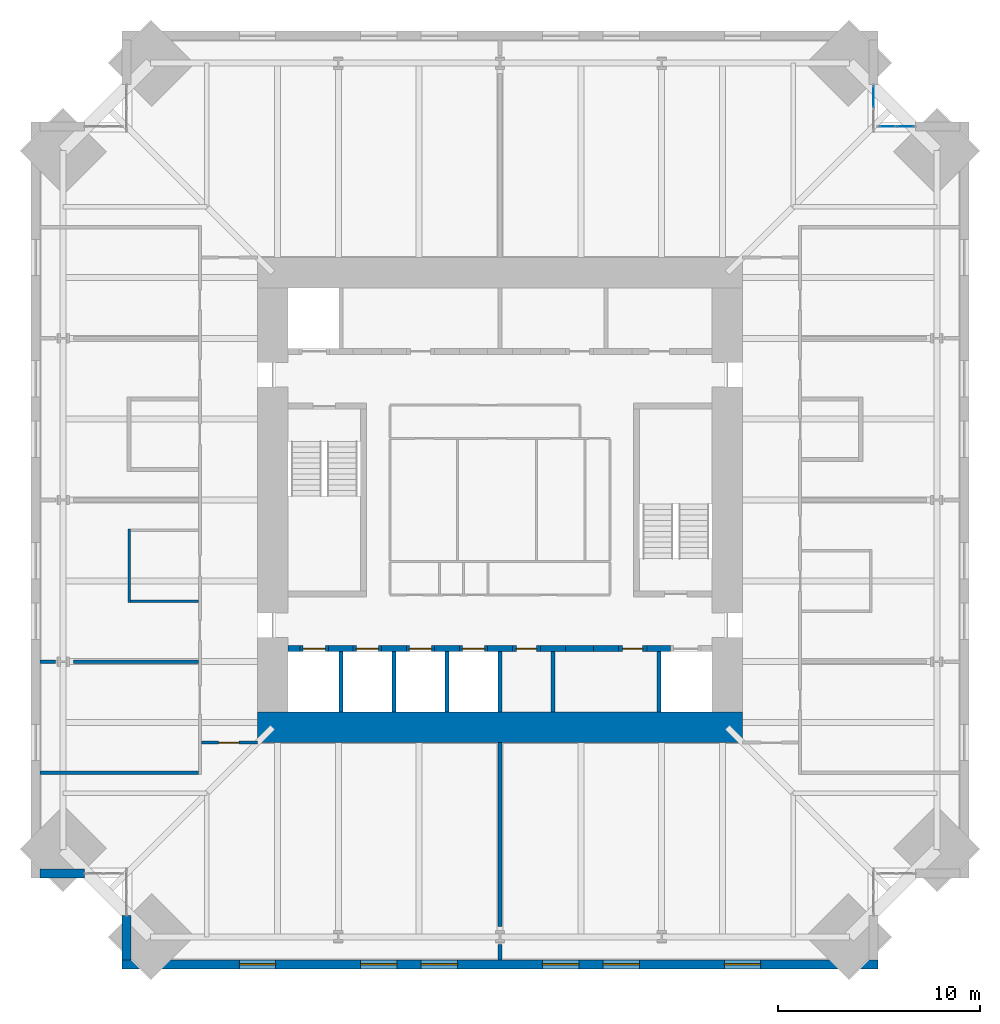
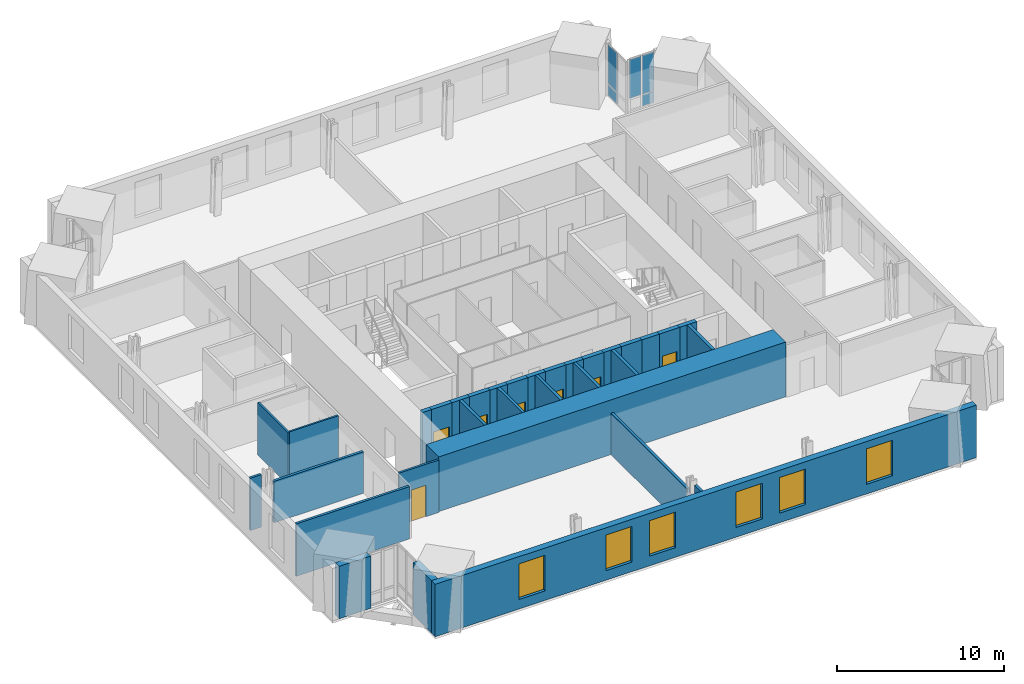
# One storey, part 10 of 15: 33 walls, 7 doors, 6 windows, 5 plates, 13 openings, 2 elements without a shape of their own.
"""IFC4 building model written with IfcOpenShell, lengths in metres."""

from ifc_helpers import new_model, si_unit, direction, frame, frame_2d, origin, origin_2d, place, context, subcontext, project, spatial, rectangle, extrude, material, layer, layer_set, type_object, element, fill, aggregate, save


model = new_model("IFC4")

# Units and contexts
model_context = context("Model", 3, precision=1e-05, world=origin(), true_north=direction((0.0, 1.0)))
body_context = subcontext(model_context, "Body", "Model", "MODEL_VIEW")
ifc_project = project(units=[si_unit("LENGTHUNIT", "METRE"), si_unit("AREAUNIT", "SQUARE_METRE"), si_unit("VOLUMEUNIT", "CUBIC_METRE"), si_unit("PLANEANGLEUNIT", "RADIAN"), si_unit("MASSUNIT", "GRAM", prefix="KILO")], contexts=[model_context])

# Site, building, storey
site_placement = place(None, origin())
site = spatial("IfcSite", under=ifc_project, at=site_placement, CompositionType="ELEMENT")
building_placement = place(site_placement, origin())
building = spatial("IfcBuilding", under=site, at=building_placement, Name="Peilmerk Tower", CompositionType="ELEMENT")
storey_placement = place(building_placement, frame((0.0, 0.0, 229.800048828125)))
storey = spatial("IfcBuildingStorey", under=building, at=storey_placement, Name="L50", CompositionType="ELEMENT", Elevation=229.800048828125)

# Curtain wall, plates
ifc_material_1 = material(Name="Aluminium stick curtain wall", Category="aluminium")
curtain_wall_type = type_object("IfcCurtainWallType", Name="CW4 stick curtain wall, 2250 module", PredefinedType="NOTDEFINED", material=ifc_material_1)
curtain_wall_1_placement = place(storey_placement, origin())
curtain_wall_1 = element("IfcCurtainWall", 1, at=curtain_wall_1_placement, inside=storey, type_object=curtain_wall_type, Name="Curtain wall CW4 NEA L50", PredefinedType="NOTDEFINED")
ifc_material_2 = material(Name="Clear insulated glazing unit", Category="glass")
ifc_layer_1 = layer(ifc_material_2, 0.028076171875)
ifc_layer_set_1 = layer_set([ifc_layer_1], Name="Clear insulated glazing unit")
plate_type = type_object("IfcPlateType", Name="CW4-P 28 glazed panel", PredefinedType="CURTAIN_PANEL", material=ifc_layer_set_1)
plate_1_placement = place(storey_placement, frame((18.47509765625, 19.9501953125, 0.06494140625), z_axis=(0.0, 0.0, 1.0), x_axis=(0.0, 1.0, 0.0)))
plate_1 = element("IfcPlate", 2, at=plate_1_placement, type_object=plate_type, Name="CW4 panel 2.1", PredefinedType="CURTAIN_PANEL", context=body_context, shape_type="SweptSolid", body=[
    extrude(rectangle(XDim=1.046875, YDim=0.028076171875, at=origin_2d()), origin(), (0.0, 0.0, 1.0), 0.802490234375),
])
plate_2_placement = place(storey_placement, frame((18.47509765625, 19.9501953125, 0.932373046875), z_axis=(0.0, 0.0, 1.0), x_axis=(0.0, 1.0, 0.0)))
plate_2 = element("IfcPlate", 3, at=plate_2_placement, type_object=plate_type, Name="CW4 panel 2.2", PredefinedType="CURTAIN_PANEL", context=body_context, shape_type="SweptSolid", body=[
    extrude(rectangle(XDim=1.046875, YDim=0.028076171875, at=origin_2d()), origin(), (0.0, 0.0, 1.0), 2.83251953125),
])
aggregate(curtain_wall_1, [plate_1, plate_2])

curtain_wall_2_placement = place(storey_placement, origin())
curtain_wall_2 = element("IfcCurtainWall", 4, at=curtain_wall_2_placement, inside=storey, type_object=curtain_wall_type, Name="Curtain wall CW4 NEB L50", PredefinedType="NOTDEFINED")
plate_3_placement = place(storey_placement, frame((19.176025390625, 18.47509765625, 0.932373046875), z_axis=(0.0, 0.0, 1.0), x_axis=(1.0, 0.0, 0.0)))
plate_3 = element("IfcPlate", 5, at=plate_3_placement, type_object=plate_type, Name="CW4 panel 1.2", PredefinedType="CURTAIN_PANEL", context=body_context, shape_type="SweptSolid", body=[
    extrude(rectangle(XDim=0.82177734375, YDim=0.028076171875, at=origin_2d()), origin(), (0.0, 0.0, 1.0), 2.83251953125),
])
plate_4_placement = place(storey_placement, frame((20.062744140625, 18.47509765625, 0.06494140625), z_axis=(0.0, 0.0, 1.0), x_axis=(1.0, 0.0, 0.0)))
plate_4 = element("IfcPlate", 6, at=plate_4_placement, type_object=plate_type, Name="CW4 panel 2.1", PredefinedType="CURTAIN_PANEL", context=body_context, shape_type="SweptSolid", body=[
    extrude(rectangle(XDim=0.82177734375, YDim=0.028076171875, at=origin_2d()), origin(), (0.0, 0.0, 1.0), 0.802490234375),
])
plate_5_placement = place(storey_placement, frame((20.062744140625, 18.47509765625, 0.932373046875), z_axis=(0.0, 0.0, 1.0), x_axis=(1.0, 0.0, 0.0)))
plate_5 = element("IfcPlate", 7, at=plate_5_placement, type_object=plate_type, Name="CW4 panel 2.2", PredefinedType="CURTAIN_PANEL", context=body_context, shape_type="SweptSolid", body=[
    extrude(rectangle(XDim=0.82177734375, YDim=0.028076171875, at=origin_2d()), origin(), (0.0, 0.0, 1.0), 2.83251953125),
])
aggregate(curtain_wall_2, [plate_3, plate_4, plate_5])

# Wall, openings, windows
ifc_material_3 = material(Name="Precast concrete C45/55, board-marked finish", Category="concrete")
ifc_layer_2 = layer(ifc_material_3, 0.449951171875)
ifc_layer_set_2 = layer_set([ifc_layer_2], Name="Precast concrete C45/55, board-marked finish")
wall_type_1 = type_object("IfcWallType", Name="EW1 450 precast concrete facade wall, board-marked", PredefinedType="SOLIDWALL", material=ifc_layer_set_2)
wall_1_placement = place(storey_placement, frame((-18.699951171875, -22.97509765625, 0.0), z_axis=(0.0, 0.0, 1.0), x_axis=(1.0, 0.0, 0.0)))
wall_1 = element("IfcWall", 8, at=wall_1_placement, inside=storey, type_object=wall_type_1, Name="Facade wall S L50", PredefinedType="SOLIDWALL", context=body_context, shape_type="SweptSolid", body=[
    extrude(rectangle(XDim=37.39990234375, YDim=0.449951171875, at=frame_2d((18.699951171875, 0.0))), origin(), (0.0, 0.0, 1.0), 3.829833984375),
])
opening_1_placement = place(wall_1_placement, frame((5.800048828125, 0.0, 0.699951171875)))
opening_1 = element("IfcOpeningElement", 9, at=opening_1_placement, cuts=wall_1, Name="Opening W1", PredefinedType="OPENING", context=body_context, shape_type="SweptSolid", body=[
    extrude(rectangle(XDim=1.800048828125, YDim=2.60009765625, at=frame_2d((0.89990234375, 1.300048828125))), frame((0.0, 0.23486328125, 0.0), z_axis=(0.0, -1.0, 0.0), x_axis=(1.0, 0.0, 0.0)), (0.0, 0.0, 1.0), 0.469970703125),
])
opening_2_placement = place(wall_1_placement, frame((11.800048828125, 0.0, 0.699951171875)))
opening_2 = element("IfcOpeningElement", 10, at=opening_2_placement, cuts=wall_1, Name="Opening W1", PredefinedType="OPENING", context=body_context, shape_type="SweptSolid", body=[
    extrude(rectangle(XDim=1.800048828125, YDim=2.60009765625, at=frame_2d((0.89990234375, 1.300048828125))), frame((0.0, 0.23486328125, 0.0), z_axis=(0.0, -1.0, 0.0), x_axis=(1.0, 0.0, 0.0)), (0.0, 0.0, 1.0), 0.469970703125),
])
opening_3_placement = place(wall_1_placement, frame((14.800048828125, 0.0, 0.699951171875)))
opening_3 = element("IfcOpeningElement", 11, at=opening_3_placement, cuts=wall_1, Name="Opening W1", PredefinedType="OPENING", context=body_context, shape_type="SweptSolid", body=[
    extrude(rectangle(XDim=1.800048828125, YDim=2.60009765625, at=frame_2d((0.89990234375, 1.300048828125))), frame((0.0, 0.23486328125, 0.0), z_axis=(0.0, -1.0, 0.0), x_axis=(1.0, 0.0, 0.0)), (0.0, 0.0, 1.0), 0.469970703125),
])
opening_4_placement = place(wall_1_placement, frame((20.800048828125, 0.0, 0.699951171875)))
opening_4 = element("IfcOpeningElement", 12, at=opening_4_placement, cuts=wall_1, Name="Opening W1", PredefinedType="OPENING", context=body_context, shape_type="SweptSolid", body=[
    extrude(rectangle(XDim=1.800048828125, YDim=2.60009765625, at=frame_2d((0.89990234375, 1.300048828125))), frame((0.0, 0.23486328125, 0.0), z_axis=(0.0, -1.0, 0.0), x_axis=(1.0, 0.0, 0.0)), (0.0, 0.0, 1.0), 0.469970703125),
])
opening_5_placement = place(wall_1_placement, frame((23.800048828125, 0.0, 0.699951171875)))
opening_5 = element("IfcOpeningElement", 13, at=opening_5_placement, cuts=wall_1, Name="Opening W1", PredefinedType="OPENING", context=body_context, shape_type="SweptSolid", body=[
    extrude(rectangle(XDim=1.800048828125, YDim=2.60009765625, at=frame_2d((0.89990234375, 1.300048828125))), frame((0.0, 0.23486328125, 0.0), z_axis=(0.0, -1.0, 0.0), x_axis=(1.0, 0.0, 0.0)), (0.0, 0.0, 1.0), 0.469970703125),
])
opening_6_placement = place(wall_1_placement, frame((29.800048828125, 0.0, 0.699951171875)))
opening_6 = element("IfcOpeningElement", 14, at=opening_6_placement, cuts=wall_1, Name="Opening W1", PredefinedType="OPENING", context=body_context, shape_type="SweptSolid", body=[
    extrude(rectangle(XDim=1.800048828125, YDim=2.60009765625, at=frame_2d((0.89990234375, 1.300048828125))), frame((0.0, 0.23486328125, 0.0), z_axis=(0.0, -1.0, 0.0), x_axis=(1.0, 0.0, 0.0)), (0.0, 0.0, 1.0), 0.469970703125),
])
ifc_material_4 = material(Name="Aluminium frame, clear double glazing", Category="aluminium")
window_type = type_object("IfcWindowType", Name="W1 1800x2600 office window", PartitioningType="SINGLE_PANEL", PredefinedType="WINDOW", material=ifc_material_4)
window_1_placement = place(opening_1_placement, origin())
window_1 = element("IfcWindow", 15, at=window_1_placement, inside=storey, type_object=window_type, Name="Window W1 L50", OverallHeight=2.60009765625, OverallWidth=1.800048828125, PartitioningType="SINGLE_PANEL", PredefinedType="WINDOW", context=body_context, shape_type="SweptSolid", body=[
    extrude(rectangle(XDim=1.800048828125, YDim=2.60009765625, at=frame_2d((0.89990234375, 1.300048828125))), frame((0.0, 0.030029296875, 0.0), z_axis=(0.0, -1.0, 0.0), x_axis=(1.0, 0.0, 0.0)), (0.0, 0.0, 1.0), 0.06005859375),
])
fill(opening_1, window_1)
window_2_placement = place(opening_2_placement, origin())
window_2 = element("IfcWindow", 16, at=window_2_placement, inside=storey, type_object=window_type, Name="Window W1 L50", OverallHeight=2.60009765625, OverallWidth=1.800048828125, PartitioningType="SINGLE_PANEL", PredefinedType="WINDOW", context=body_context, shape_type="SweptSolid", body=[
    extrude(rectangle(XDim=1.800048828125, YDim=2.60009765625, at=frame_2d((0.89990234375, 1.300048828125))), frame((0.0, 0.030029296875, 0.0), z_axis=(0.0, -1.0, 0.0), x_axis=(1.0, 0.0, 0.0)), (0.0, 0.0, 1.0), 0.06005859375),
])
fill(opening_2, window_2)
window_3_placement = place(opening_3_placement, origin())
window_3 = element("IfcWindow", 17, at=window_3_placement, inside=storey, type_object=window_type, Name="Window W1 L50", OverallHeight=2.60009765625, OverallWidth=1.800048828125, PartitioningType="SINGLE_PANEL", PredefinedType="WINDOW", context=body_context, shape_type="SweptSolid", body=[
    extrude(rectangle(XDim=1.800048828125, YDim=2.60009765625, at=frame_2d((0.89990234375, 1.300048828125))), frame((0.0, 0.030029296875, 0.0), z_axis=(0.0, -1.0, 0.0), x_axis=(1.0, 0.0, 0.0)), (0.0, 0.0, 1.0), 0.06005859375),
])
fill(opening_3, window_3)
window_4_placement = place(opening_4_placement, origin())
window_4 = element("IfcWindow", 18, at=window_4_placement, inside=storey, type_object=window_type, Name="Window W1 L50", OverallHeight=2.60009765625, OverallWidth=1.800048828125, PartitioningType="SINGLE_PANEL", PredefinedType="WINDOW", context=body_context, shape_type="SweptSolid", body=[
    extrude(rectangle(XDim=1.800048828125, YDim=2.60009765625, at=frame_2d((0.89990234375, 1.300048828125))), frame((0.0, 0.030029296875, 0.0), z_axis=(0.0, -1.0, 0.0), x_axis=(1.0, 0.0, 0.0)), (0.0, 0.0, 1.0), 0.06005859375),
])
fill(opening_4, window_4)
window_5_placement = place(opening_5_placement, origin())
window_5 = element("IfcWindow", 19, at=window_5_placement, inside=storey, type_object=window_type, Name="Window W1 L50", OverallHeight=2.60009765625, OverallWidth=1.800048828125, PartitioningType="SINGLE_PANEL", PredefinedType="WINDOW", context=body_context, shape_type="SweptSolid", body=[
    extrude(rectangle(XDim=1.800048828125, YDim=2.60009765625, at=frame_2d((0.89990234375, 1.300048828125))), frame((0.0, 0.030029296875, 0.0), z_axis=(0.0, -1.0, 0.0), x_axis=(1.0, 0.0, 0.0)), (0.0, 0.0, 1.0), 0.06005859375),
])
fill(opening_5, window_5)
window_6_placement = place(opening_6_placement, origin())
window_6 = element("IfcWindow", 20, at=window_6_placement, inside=storey, type_object=window_type, Name="Window W1 L50", OverallHeight=2.60009765625, OverallWidth=1.800048828125, PartitioningType="SINGLE_PANEL", PredefinedType="WINDOW", context=body_context, shape_type="SweptSolid", body=[
    extrude(rectangle(XDim=1.800048828125, YDim=2.60009765625, at=frame_2d((0.89990234375, 1.300048828125))), frame((0.0, 0.030029296875, 0.0), z_axis=(0.0, -1.0, 0.0), x_axis=(1.0, 0.0, 0.0)), (0.0, 0.0, 1.0), 0.06005859375),
])
fill(opening_6, window_6)

# Walls
for number, where, z_axis, x_axis, name in (
    (21, (-18.47509765625, -20.5537109375, 0.0), (0.0, 0.0, 1.0), (0.0, -1.0, 0.0), "Facade wall SWA L50"),
    (22, (-20.5537109375, -18.47509765625, 0.0), (0.0, 0.0, 1.0), (-1.0, 0.0, 0.0), "Facade wall SWB L50"),
):
    element("IfcWall", number, at=place(storey_placement, frame(where, z_axis=z_axis, x_axis=x_axis)), inside=storey, type_object=wall_type_1, Name=name, PredefinedType="SOLIDWALL", context=body_context, shape_type="SweptSolid", body=[
        extrude(rectangle(XDim=2.1962890625, YDim=0.449951171875, at=frame_2d((1.09814453125, 0.0))), origin(), (0.0, 0.0, 1.0), 3.829833984375),
    ])

# Wall, opening, door
ifc_material_5 = material(Name="Calcium silicate block", Category="masonry")
ifc_layer_3 = layer(ifc_material_5, 0.14990234375)
ifc_layer_set_3 = layer_set([ifc_layer_3], Name="Calcium silicate block")
wall_type_2 = type_object("IfcWallType", Name="IW1 150 corridor partition, EI 60", PredefinedType="PARTITIONING", material=ifc_layer_set_3)
wall_2_placement = place(storey_placement, frame((-12.0, -12.0, 0.0), z_axis=(0.0, 0.0, 1.0), x_axis=(-1.0, 0.0, 0.0)))
wall_2 = element("IfcWall", 23, at=wall_2_placement, inside=storey, type_object=wall_type_2, Name="Corridor wall SW L50", PredefinedType="PARTITIONING", context=body_context, shape_type="SweptSolid", body=[
    extrude(rectangle(XDim=2.77490234375, YDim=0.14990234375, at=frame_2d((1.387451171875, 0.0))), origin(), (0.0, 0.0, 1.0), 3.829833984375),
])
opening_7_placement = place(wall_2_placement, frame((0.925048828125, 0.0, 0.0)))
opening_7 = element("IfcOpeningElement", 24, at=opening_7_placement, cuts=wall_2, Name="Opening D1", PredefinedType="OPENING", context=body_context, shape_type="SweptSolid", body=[
    extrude(rectangle(XDim=1.0, YDim=2.300048828125, at=frame_2d((0.5, 1.14990234375))), frame((0.0, 0.0849609375, 0.0), z_axis=(0.0, -1.0, 0.0), x_axis=(1.0, 0.0, 0.0)), (0.0, 0.0, 1.0), 0.169921875),
])
ifc_material_6 = material(Name="Timber door in steel frame", Category="steel")
door_type_1 = type_object("IfcDoorType", Name="D1 1000x2300 room door, EI2 30", OperationType="SINGLE_SWING_LEFT", PredefinedType="DOOR", material=ifc_material_6)
door_1_placement = place(opening_7_placement, origin())
door_1 = element("IfcDoor", 25, at=door_1_placement, inside=storey, type_object=door_type_1, Name="Door Office L50", OperationType="SINGLE_SWING_LEFT", OverallHeight=2.300048828125, OverallWidth=1.0, PredefinedType="DOOR", context=body_context, shape_type="SweptSolid", body=[
    extrude(rectangle(XDim=1.0, YDim=2.300048828125, at=frame_2d((0.5, 1.14990234375))), frame((0.0, 0.02490234375, 0.0), z_axis=(0.0, -1.0, 0.0), x_axis=(1.0, 0.0, 0.0)), (0.0, 0.0, 1.0), 0.050048828125),
])
fill(opening_7, door_1)

# Walls
ifc_material_7 = material(Name="Plasterboard on steel studs, double boarded with mineral wool", Category="steel")
ifc_layer_4 = layer(ifc_material_7, 0.125)
ifc_layer_set_4 = layer_set([ifc_layer_4], Name="Plasterboard on steel studs, double boarded with mineral wool")
wall_type_3 = type_object("IfcWallType", Name="IW7 125 acoustic partition, EI 30", PredefinedType="PARTITIONING", material=ifc_layer_set_4)
wall_3_placement = place(storey_placement, frame((-18.35009765625, -5.0625, 0.0), z_axis=(0.0, 0.0, 1.0), x_axis=(0.0, 1.0, 0.0)))
element("IfcWall", 26, at=wall_3_placement, inside=storey, type_object=wall_type_3, Name="Acoustic partition Pantry L50", PredefinedType="PARTITIONING", context=body_context, shape_type="SweptSolid", body=[
    extrude(rectangle(XDim=3.625, YDim=0.125, at=frame_2d((1.8125, 0.0))), origin(), (0.0, 0.0, 1.0), 3.829833984375),
])
wall_4_placement = place(storey_placement, frame((-14.925048828125, -5.0, 0.0), z_axis=(0.0, 0.0, 1.0), x_axis=(-1.0, 0.0, 0.0)))
element("IfcWall", 27, at=wall_4_placement, inside=storey, type_object=wall_type_3, Name="Acoustic partition Pantry L50", PredefinedType="PARTITIONING", context=body_context, shape_type="SweptSolid", body=[
    extrude(rectangle(XDim=3.362548828125, YDim=0.125, at=frame_2d((1.68115234375, 0.0))), origin(), (0.0, 0.0, 1.0), 3.829833984375),
])
ifc_layer_5 = layer(ifc_material_5, 0.175048828125)
ifc_layer_set_5 = layer_set([ifc_layer_5], Name="Calcium silicate block")
wall_type_4 = type_object("IfcWallType", Name="IW8 175 tenant separating wall, EI 60", PredefinedType="PARTITIONING", material=ifc_layer_set_5)
wall_5_placement = place(storey_placement, frame((-14.925048828125, -13.5, 0.0), z_axis=(0.0, 0.0, 1.0), x_axis=(-1.0, 0.0, 0.0)))
element("IfcWall", 28, at=wall_5_placement, inside=storey, type_object=wall_type_4, Name="Tenant separating wall SW L50", PredefinedType="PARTITIONING", context=body_context, shape_type="SweptSolid", body=[
    extrude(rectangle(XDim=7.824951171875, YDim=0.175048828125, at=frame_2d((3.91259765625, 0.0))), origin(), (0.0, 0.0, 1.0), 3.829833984375),
])
wall_6_placement = place(storey_placement, frame((0.0, -12.0, 0.0), z_axis=(0.0, 0.0, 1.0), x_axis=(0.0, -1.0, 0.0)))
element("IfcWall", 29, at=wall_6_placement, inside=storey, type_object=wall_type_4, Name="Tenant separating wall S1 L50", PredefinedType="PARTITIONING", context=body_context, shape_type="SweptSolid", body=[
    extrude(rectangle(XDim=9.10546875, YDim=0.175048828125, at=frame_2d((4.552734375, 0.0))), origin(), (0.0, 0.0, 1.0), 3.0400390625),
])
wall_7_placement = place(storey_placement, frame((0.0, -21.99462890625, 0.0), z_axis=(0.0, 0.0, 1.0), x_axis=(0.0, -1.0, 0.0)))
element("IfcWall", 30, at=wall_7_placement, inside=storey, type_object=wall_type_4, Name="Tenant separating wall S1b L50", PredefinedType="PARTITIONING", context=body_context, shape_type="SweptSolid", body=[
    extrude(rectangle(XDim=0.75537109375, YDim=0.175048828125, at=frame_2d((0.377685546875, 0.0))), origin(), (0.0, 0.0, 1.0), 3.829833984375),
])
wall_8_placement = place(storey_placement, frame((-14.925048828125, -8.0, 0.0), z_axis=(0.0, 0.0, 1.0), x_axis=(-1.0, 0.0, 0.0)))
element("IfcWall", 31, at=wall_8_placement, inside=storey, type_object=wall_type_4, Name="Tenant separating wall W1 L50", PredefinedType="PARTITIONING", context=body_context, shape_type="SweptSolid", body=[
    extrude(rectangle(XDim=6.180419921875, YDim=0.175048828125, at=frame_2d((3.09033203125, 0.0))), origin(), (0.0, 0.0, 1.0), 3.0400390625),
])
wall_9_placement = place(storey_placement, frame((-21.99462890625, -8.0, 0.0), z_axis=(0.0, 0.0, 1.0), x_axis=(-1.0, 0.0, 0.0)))
element("IfcWall", 32, at=wall_9_placement, inside=storey, type_object=wall_type_4, Name="Tenant separating wall W1b L50", PredefinedType="PARTITIONING", context=body_context, shape_type="SweptSolid", body=[
    extrude(rectangle(XDim=0.75537109375, YDim=0.175048828125, at=frame_2d((0.377685546875, 0.0))), origin(), (0.0, 0.0, 1.0), 3.829833984375),
])
ifc_layer_6 = layer(ifc_material_5, 0.199951171875)
ifc_layer_set_6 = layer_set([ifc_layer_6], Name="Calcium silicate block")
wall_type_5 = type_object("IfcWallType", Name="SH1 200 shaft dividing wall, EI 120", PredefinedType="PARTITIONING", material=ifc_layer_set_6)
for number, where, z_axis, x_axis, name in (
    (33, (-7.875, -10.5, 0.0), (0.0, 0.0, 1.0), (0.0, 1.0, 0.0), "Shaft wall S C4 L50"),
    (34, (-5.25, -10.5, 0.0), (0.0, 0.0, 1.0), (0.0, 1.0, 0.0), "Shaft wall S C3 L50"),
    (35, (-2.625, -10.5, 0.0), (0.0, 0.0, 1.0), (0.0, 1.0, 0.0), "Shaft wall S C2 L50"),
    (36, (0.0, -10.5, 0.0), (0.0, 0.0, 1.0), (0.0, 1.0, 0.0), "Shaft wall S C1 L50"),
    (37, (2.625, -10.5, 0.0), (0.0, 0.0, 1.0), (0.0, 1.0, 0.0), "Shaft wall S B3 L50"),
    (38, (7.875, -10.5, 0.0), (0.0, 0.0, 1.0), (0.0, 1.0, 0.0), "Shaft wall S B1 L50"),
):
    element("IfcWall", number, at=place(storey_placement, frame(where, z_axis=z_axis, x_axis=x_axis)), inside=storey, type_object=wall_type_5, Name=name, PredefinedType="PARTITIONING", context=body_context, shape_type="SweptSolid", body=[
        extrude(rectangle(XDim=3.0, YDim=0.199951171875, at=frame_2d((1.5, 0.0))), origin(), (0.0, 0.0, 1.0), 4.0),
    ])

# Wall, opening, door
ifc_layer_7 = layer(ifc_material_5, 0.300048828125)
ifc_layer_set_7 = layer_set([ifc_layer_7], Name="Calcium silicate block")
wall_type_6 = type_object("IfcWallType", Name="SH2 300 lift landing door panel, EI 120", PredefinedType="PARTITIONING", material=ifc_layer_set_7)
wall_10_placement = place(storey_placement, frame((-9.887451171875, -7.35009765625, 0.0), z_axis=(0.0, 0.0, 1.0), x_axis=(1.0, 0.0, 0.0)))
wall_10 = element("IfcWall", 39, at=wall_10_placement, inside=storey, type_object=wall_type_6, Name="Lift door panel S C4 L50", PredefinedType="PARTITIONING", context=body_context, shape_type="SweptSolid", body=[
    extrude(rectangle(XDim=1.39990234375, YDim=0.300048828125, at=frame_2d((0.699951171875, 0.0))), origin(), (0.0, 0.0, 1.0), 4.0),
])
opening_8_placement = place(wall_10_placement, frame((0.14990234375, 0.0, 0.0)))
opening_8 = element("IfcOpeningElement", 40, at=opening_8_placement, cuts=wall_10, Name="Opening LD1", PredefinedType="OPENING", context=body_context, shape_type="SweptSolid", body=[
    extrude(rectangle(XDim=1.10009765625, YDim=2.300048828125, at=frame_2d((0.550048828125, 1.14990234375))), frame((0.0, 0.159912109375, 0.0), z_axis=(0.0, -1.0, 0.0), x_axis=(1.0, 0.0, 0.0)), (0.0, 0.0, 1.0), 0.320068359375),
])
ifc_material_8 = material(Name="Stainless steel landing door", Category="steel")
door_type_2 = type_object("IfcDoorType", Name="LD1 1100x2300 lift landing door, sliding, EI2 60", OperationType="SLIDING_TO_LEFT", PredefinedType="DOOR", material=ifc_material_8)
door_2_placement = place(opening_8_placement, origin())
door_2 = element("IfcDoor", 41, at=door_2_placement, inside=storey, type_object=door_type_2, Name="Lift landing door C4 L50", OperationType="SLIDING_TO_LEFT", OverallHeight=2.300048828125, OverallWidth=1.10009765625, PredefinedType="DOOR", context=body_context, shape_type="SweptSolid", body=[
    extrude(rectangle(XDim=1.10009765625, YDim=2.300048828125, at=frame_2d((0.550048828125, 1.14990234375))), frame((0.0, 0.02490234375, 0.0), z_axis=(0.0, -1.0, 0.0), x_axis=(1.0, 0.0, 0.0)), (0.0, 0.0, 1.0), 0.050048828125),
])
fill(opening_8, door_2)

wall_11_placement = place(storey_placement, frame((-7.262451171875, -7.35009765625, 0.0), z_axis=(0.0, 0.0, 1.0), x_axis=(1.0, 0.0, 0.0)))
wall_11 = element("IfcWall", 42, at=wall_11_placement, inside=storey, type_object=wall_type_6, Name="Lift door panel S C3 L50", PredefinedType="PARTITIONING", context=body_context, shape_type="SweptSolid", body=[
    extrude(rectangle(XDim=1.39990234375, YDim=0.300048828125, at=frame_2d((0.699951171875, 0.0))), origin(), (0.0, 0.0, 1.0), 4.0),
])
opening_9_placement = place(wall_11_placement, frame((0.14990234375, 0.0, 0.0)))
opening_9 = element("IfcOpeningElement", 43, at=opening_9_placement, cuts=wall_11, Name="Opening LD1", PredefinedType="OPENING", context=body_context, shape_type="SweptSolid", body=[
    extrude(rectangle(XDim=1.10009765625, YDim=2.300048828125, at=frame_2d((0.550048828125, 1.14990234375))), frame((0.0, 0.159912109375, 0.0), z_axis=(0.0, -1.0, 0.0), x_axis=(1.0, 0.0, 0.0)), (0.0, 0.0, 1.0), 0.320068359375),
])
door_3_placement = place(opening_9_placement, origin())
door_3 = element("IfcDoor", 44, at=door_3_placement, inside=storey, type_object=door_type_2, Name="Lift landing door C3 L50", OperationType="SLIDING_TO_LEFT", OverallHeight=2.300048828125, OverallWidth=1.10009765625, PredefinedType="DOOR", context=body_context, shape_type="SweptSolid", body=[
    extrude(rectangle(XDim=1.10009765625, YDim=2.300048828125, at=frame_2d((0.550048828125, 1.14990234375))), frame((0.0, 0.02490234375, 0.0), z_axis=(0.0, -1.0, 0.0), x_axis=(1.0, 0.0, 0.0)), (0.0, 0.0, 1.0), 0.050048828125),
])
fill(opening_9, door_3)

wall_12_placement = place(storey_placement, frame((-4.637451171875, -7.35009765625, 0.0), z_axis=(0.0, 0.0, 1.0), x_axis=(1.0, 0.0, 0.0)))
wall_12 = element("IfcWall", 45, at=wall_12_placement, inside=storey, type_object=wall_type_6, Name="Lift door panel S C2 L50", PredefinedType="PARTITIONING", context=body_context, shape_type="SweptSolid", body=[
    extrude(rectangle(XDim=1.39990234375, YDim=0.300048828125, at=frame_2d((0.699951171875, 0.0))), origin(), (0.0, 0.0, 1.0), 4.0),
])
opening_10_placement = place(wall_12_placement, frame((0.14990234375, 0.0, 0.0)))
opening_10 = element("IfcOpeningElement", 46, at=opening_10_placement, cuts=wall_12, Name="Opening LD1", PredefinedType="OPENING", context=body_context, shape_type="SweptSolid", body=[
    extrude(rectangle(XDim=1.10009765625, YDim=2.300048828125, at=frame_2d((0.550048828125, 1.14990234375))), frame((0.0, 0.159912109375, 0.0), z_axis=(0.0, -1.0, 0.0), x_axis=(1.0, 0.0, 0.0)), (0.0, 0.0, 1.0), 0.320068359375),
])
door_4_placement = place(opening_10_placement, origin())
door_4 = element("IfcDoor", 47, at=door_4_placement, inside=storey, type_object=door_type_2, Name="Lift landing door C2 L50", OperationType="SLIDING_TO_LEFT", OverallHeight=2.300048828125, OverallWidth=1.10009765625, PredefinedType="DOOR", context=body_context, shape_type="SweptSolid", body=[
    extrude(rectangle(XDim=1.10009765625, YDim=2.300048828125, at=frame_2d((0.550048828125, 1.14990234375))), frame((0.0, 0.02490234375, 0.0), z_axis=(0.0, -1.0, 0.0), x_axis=(1.0, 0.0, 0.0)), (0.0, 0.0, 1.0), 0.050048828125),
])
fill(opening_10, door_4)

wall_13_placement = place(storey_placement, frame((-2.012451171875, -7.35009765625, 0.0), z_axis=(0.0, 0.0, 1.0), x_axis=(1.0, 0.0, 0.0)))
wall_13 = element("IfcWall", 48, at=wall_13_placement, inside=storey, type_object=wall_type_6, Name="Lift door panel S C1 L50", PredefinedType="PARTITIONING", context=body_context, shape_type="SweptSolid", body=[
    extrude(rectangle(XDim=1.39990234375, YDim=0.300048828125, at=frame_2d((0.699951171875, 0.0))), origin(), (0.0, 0.0, 1.0), 4.0),
])
opening_11_placement = place(wall_13_placement, frame((0.14990234375, 0.0, 0.0)))
opening_11 = element("IfcOpeningElement", 49, at=opening_11_placement, cuts=wall_13, Name="Opening LD1", PredefinedType="OPENING", context=body_context, shape_type="SweptSolid", body=[
    extrude(rectangle(XDim=1.10009765625, YDim=2.300048828125, at=frame_2d((0.550048828125, 1.14990234375))), frame((0.0, 0.159912109375, 0.0), z_axis=(0.0, -1.0, 0.0), x_axis=(1.0, 0.0, 0.0)), (0.0, 0.0, 1.0), 0.320068359375),
])
door_5_placement = place(opening_11_placement, origin())
door_5 = element("IfcDoor", 50, at=door_5_placement, inside=storey, type_object=door_type_2, Name="Lift landing door C1 L50", OperationType="SLIDING_TO_LEFT", OverallHeight=2.300048828125, OverallWidth=1.10009765625, PredefinedType="DOOR", context=body_context, shape_type="SweptSolid", body=[
    extrude(rectangle(XDim=1.10009765625, YDim=2.300048828125, at=frame_2d((0.550048828125, 1.14990234375))), frame((0.0, 0.02490234375, 0.0), z_axis=(0.0, -1.0, 0.0), x_axis=(1.0, 0.0, 0.0)), (0.0, 0.0, 1.0), 0.050048828125),
])
fill(opening_11, door_5)

wall_14_placement = place(storey_placement, frame((0.612548828125, -7.35009765625, 0.0), z_axis=(0.0, 0.0, 1.0), x_axis=(1.0, 0.0, 0.0)))
wall_14 = element("IfcWall", 51, at=wall_14_placement, inside=storey, type_object=wall_type_6, Name="Lift door panel S B3 L50", PredefinedType="PARTITIONING", context=body_context, shape_type="SweptSolid", body=[
    extrude(rectangle(XDim=1.39990234375, YDim=0.300048828125, at=frame_2d((0.699951171875, 0.0))), origin(), (0.0, 0.0, 1.0), 4.0),
])
opening_12_placement = place(wall_14_placement, frame((0.199951171875, 0.0, 0.0)))
opening_12 = element("IfcOpeningElement", 52, at=opening_12_placement, cuts=wall_14, Name="Opening D10", PredefinedType="OPENING", context=body_context, shape_type="SweptSolid", body=[
    extrude(rectangle(XDim=1.0, YDim=2.300048828125, at=frame_2d((0.5, 1.14990234375))), frame((0.0, 0.159912109375, 0.0), z_axis=(0.0, -1.0, 0.0), x_axis=(1.0, 0.0, 0.0)), (0.0, 0.0, 1.0), 0.320068359375),
])
ifc_material_9 = material(Name="Steel door in steel frame", Category="steel")
door_type_3 = type_object("IfcDoorType", Name="D10 1000x2300 core room door, EI2 60", OperationType="SINGLE_SWING_RIGHT", PredefinedType="DOOR", material=ifc_material_9)
door_6_placement = place(opening_12_placement, frame((1.0, 0.0, 0.0), z_axis=(0.0, 0.0, 1.0), x_axis=(-1.0, 0.0, 0.0)))
door_6 = element("IfcDoor", 53, at=door_6_placement, inside=storey, type_object=door_type_3, Name="Door Electrical room L50", OperationType="SINGLE_SWING_RIGHT", OverallHeight=2.300048828125, OverallWidth=1.0, PredefinedType="DOOR", context=body_context, shape_type="SweptSolid", body=[
    extrude(rectangle(XDim=1.0, YDim=2.300048828125, at=frame_2d((0.5, 1.14990234375))), frame((0.0, 0.02490234375, 0.0), z_axis=(0.0, -1.0, 0.0), x_axis=(1.0, 0.0, 0.0)), (0.0, 0.0, 1.0), 0.050048828125),
])
fill(opening_12, door_6)

# Wall
wall_15_placement = place(storey_placement, frame((3.237548828125, -7.35009765625, 0.0), z_axis=(0.0, 0.0, 1.0), x_axis=(1.0, 0.0, 0.0)))
element("IfcWall", 54, at=wall_15_placement, inside=storey, type_object=wall_type_6, Name="Lift door panel S B2 L50", PredefinedType="PARTITIONING", context=body_context, shape_type="SweptSolid", body=[
    extrude(rectangle(XDim=1.39990234375, YDim=0.300048828125, at=frame_2d((0.699951171875, 0.0))), origin(), (0.0, 0.0, 1.0), 4.0),
])

# Wall, opening, door
wall_16_placement = place(storey_placement, frame((5.862548828125, -7.35009765625, 0.0), z_axis=(0.0, 0.0, 1.0), x_axis=(1.0, 0.0, 0.0)))
wall_16 = element("IfcWall", 55, at=wall_16_placement, inside=storey, type_object=wall_type_6, Name="Lift door panel S B1 L50", PredefinedType="PARTITIONING", context=body_context, shape_type="SweptSolid", body=[
    extrude(rectangle(XDim=1.39990234375, YDim=0.300048828125, at=frame_2d((0.699951171875, 0.0))), origin(), (0.0, 0.0, 1.0), 4.0),
])
opening_13_placement = place(wall_16_placement, frame((0.199951171875, 0.0, 0.0)))
opening_13 = element("IfcOpeningElement", 56, at=opening_13_placement, cuts=wall_16, Name="Opening D10", PredefinedType="OPENING", context=body_context, shape_type="SweptSolid", body=[
    extrude(rectangle(XDim=1.0, YDim=2.300048828125, at=frame_2d((0.5, 1.14990234375))), frame((0.0, 0.159912109375, 0.0), z_axis=(0.0, -1.0, 0.0), x_axis=(1.0, 0.0, 0.0)), (0.0, 0.0, 1.0), 0.320068359375),
])
door_7_placement = place(opening_13_placement, frame((1.0, 0.0, 0.0), z_axis=(0.0, 0.0, 1.0), x_axis=(-1.0, 0.0, 0.0)))
door_7 = element("IfcDoor", 57, at=door_7_placement, inside=storey, type_object=door_type_3, Name="Door First aid room L50", OperationType="SINGLE_SWING_RIGHT", OverallHeight=2.300048828125, OverallWidth=1.0, PredefinedType="DOOR", context=body_context, shape_type="SweptSolid", body=[
    extrude(rectangle(XDim=1.0, YDim=2.300048828125, at=frame_2d((0.5, 1.14990234375))), frame((0.0, 0.02490234375, 0.0), z_axis=(0.0, -1.0, 0.0), x_axis=(1.0, 0.0, 0.0)), (0.0, 0.0, 1.0), 0.050048828125),
])
fill(opening_13, door_7)

# Walls
ifc_material_10 = material(Name="Concrete C55/67", Category="concrete")
ifc_layer_8 = layer(ifc_material_10, 1.5)
ifc_layer_set_8 = layer_set([ifc_layer_8], Name="Concrete C55/67")
wall_type_7 = type_object("IfcWallType", Name="SW1 1500 core wall", PredefinedType="SHEAR", material=ifc_layer_set_8)
wall_17_placement = place(storey_placement, frame((12.0, -11.25, 0.0), z_axis=(0.0, 0.0, 1.0), x_axis=(-1.0, 0.0, 0.0)))
element("IfcWall", 58, at=wall_17_placement, inside=storey, type_object=wall_type_7, Name="Core wall S L50", PredefinedType="SHEAR", context=body_context, shape_type="SweptSolid", body=[
    extrude(rectangle(XDim=24.0, YDim=1.5, at=frame_2d((12.0, 0.0))), origin(), (0.0, 0.0, 1.0), 4.0),
])
ifc_layer_9 = layer(ifc_material_10, 0.300048828125)
ifc_layer_set_9 = layer_set([ifc_layer_9], Name="Concrete C55/67")
wall_type_8 = type_object("IfcWallType", Name="SW2 300 lift bank pier", PredefinedType="SHEAR", material=ifc_layer_set_9)
wall_18_placement = place(storey_placement, frame((-10.5, -7.35009765625, 0.0), z_axis=(0.0, 0.0, 1.0), x_axis=(1.0, 0.0, 0.0)))
element("IfcWall", 59, at=wall_18_placement, inside=storey, type_object=wall_type_8, Name="Lift bank pier S L50", PredefinedType="SHEAR", context=body_context, shape_type="SweptSolid", body=[
    extrude(rectangle(XDim=0.612548828125, YDim=0.300048828125, at=frame_2d((0.30615234375, 0.0))), origin(), (0.0, 0.0, 1.0), 4.0),
])
for number, where, z_axis, x_axis, name in (
    (60, (-8.487548828125, -7.35009765625, 0.0), (0.0, 0.0, 1.0), (1.0, 0.0, 0.0), "Lift bank pier S L50"),
    (61, (-5.862548828125, -7.35009765625, 0.0), (0.0, 0.0, 1.0), (1.0, 0.0, 0.0), "Lift bank pier S L50"),
    (62, (-3.237548828125, -7.35009765625, 0.0), (0.0, 0.0, 1.0), (1.0, 0.0, 0.0), "Lift bank pier S L50"),
    (63, (-0.612548828125, -7.35009765625, 0.0), (0.0, 0.0, 1.0), (1.0, 0.0, 0.0), "Lift bank pier S L50"),
    (64, (2.012451171875, -7.35009765625, 0.0), (0.0, 0.0, 1.0), (1.0, 0.0, 0.0), "Lift bank pier S L50"),
    (65, (4.637451171875, -7.35009765625, 0.0), (0.0, 0.0, 1.0), (1.0, 0.0, 0.0), "Lift bank pier S L50"),
):
    element("IfcWall", number, at=place(storey_placement, frame(where, z_axis=z_axis, x_axis=x_axis)), inside=storey, type_object=wall_type_8, Name=name, PredefinedType="SHEAR", context=body_context, shape_type="SweptSolid", body=[
        extrude(rectangle(XDim=1.22509765625, YDim=0.300048828125, at=frame_2d((0.612548828125, 0.0))), origin(), (0.0, 0.0, 1.0), 4.0),
    ])
wall_19_placement = place(storey_placement, frame((7.262451171875, -7.35009765625, 0.0), z_axis=(0.0, 0.0, 1.0), x_axis=(1.0, 0.0, 0.0)))
element("IfcWall", 66, at=wall_19_placement, inside=storey, type_object=wall_type_8, Name="Lift bank pier S L50", PredefinedType="SHEAR", context=body_context, shape_type="SweptSolid", body=[
    extrude(rectangle(XDim=1.175048828125, YDim=0.300048828125, at=frame_2d((0.58740234375, 0.0))), origin(), (0.0, 0.0, 1.0), 4.0),
])

save(model, "model.ifc")
